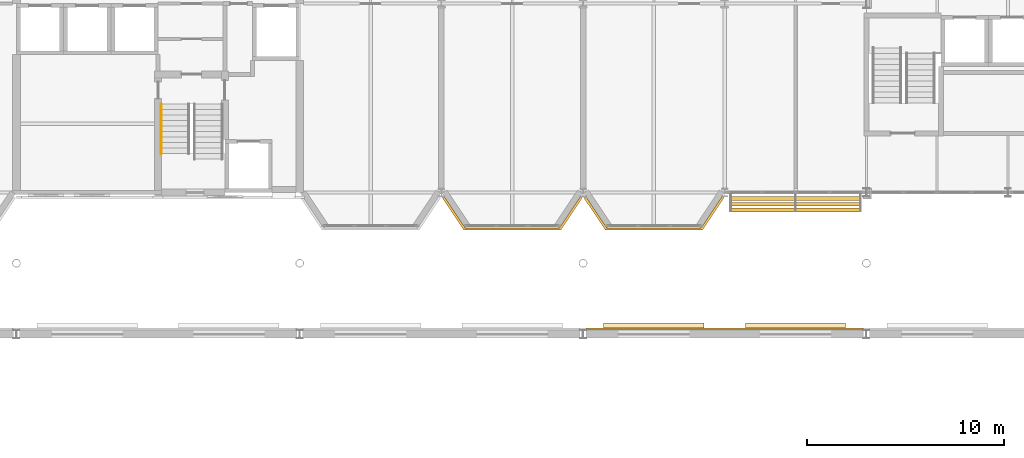
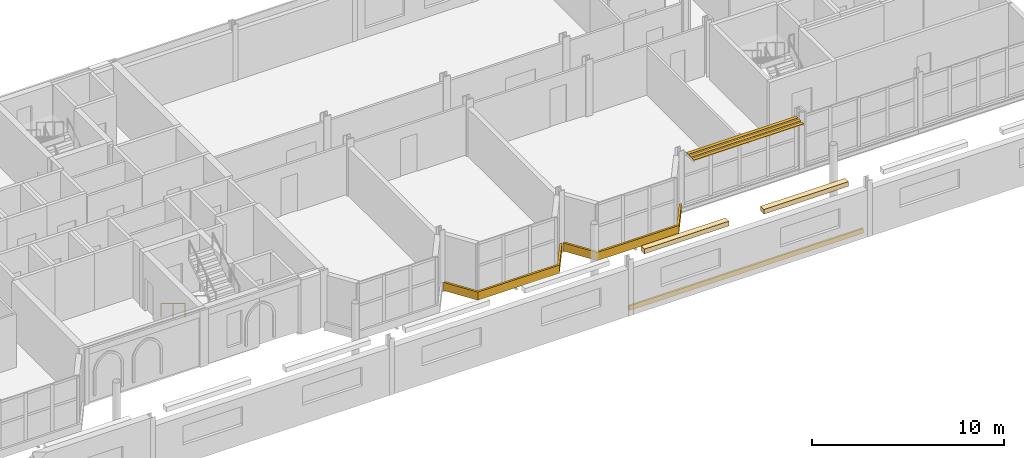
# One storey, part 109 of 124: 5 coverings, 3 shading devices, 1 railing.
"""IFC4 building model written with IfcOpenShell, lengths in metres."""

from ifc_helpers import new_model, si_unit, direction, frame, origin, origin_2d, place, context, subcontext, project, spatial, polyline, rectangle, circle, outline, extrude, material, layer, layer_set, type_object, element, save


model = new_model("IFC4")

# Units and contexts
model_context = context("Model", 3, precision=1e-05, world=origin(), true_north=direction((0.0, 1.0)))
body_context = subcontext(model_context, "Body", "Model", "MODEL_VIEW")
ifc_project = project(units=[si_unit("LENGTHUNIT", "METRE"), si_unit("AREAUNIT", "SQUARE_METRE"), si_unit("VOLUMEUNIT", "CUBIC_METRE"), si_unit("PLANEANGLEUNIT", "RADIAN"), si_unit("MASSUNIT", "GRAM", prefix="KILO")], contexts=[model_context])

# Site, building, storey
site_placement = place(None, origin())
site = spatial("IfcSite", under=ifc_project, at=site_placement, CompositionType="ELEMENT")
building_placement = place(site_placement, origin())
building = spatial("IfcBuilding", under=site, at=building_placement, Name="Kupolbacken Congress Centre", CompositionType="ELEMENT")
storey_placement = place(building_placement, frame((0.0, 0.0, 10.800048828125)))
storey = spatial("IfcBuildingStorey", under=building, at=storey_placement, Name="L03", CompositionType="ELEMENT", Elevation=10.800048828125)

# Coverings
ifc_material_1 = material(Name="Limestone cladding", Category="masonry")
ifc_layer_1 = layer(ifc_material_1, 0.1201171875)
ifc_layer_set_1 = layer_set([ifc_layer_1], Name="Limestone cladding")
covering_type_1 = type_object("IfcCoveringType", Name="CV1 limestone cladding band 120", PredefinedType="CLADDING", material=ifc_layer_set_1)
covering_1_placement = place(storey_placement, frame((0.0, 0.0, -0.239990234375)))
element("IfcCovering", 1, at=covering_1_placement, inside=storey, type_object=covering_type_1, Name="E/T/belt/L03/S/115.2", PredefinedType="CLADDING", context=body_context, shape_type="SweptSolid", body=[
    extrude(outline(polyline([(122.377685546875, 122.14990234375), (122.2333984375, 122.14990234375), (121.199951171875, 120.60009765625), (116.39990234375, 120.60009765625), (115.36669921875, 122.14990234375), (115.222412109375, 122.14990234375), (116.335693359375, 120.47998046875), (121.26416015625, 120.47998046875), (122.377685546875, 122.14990234375)])), origin(), (0.0, 0.0, 1.0), 0.52001953125),
])
covering_2_placement = place(storey_placement, frame((0.0, 0.0, -0.239990234375)))
element("IfcCovering", 2, at=covering_2_placement, inside=storey, type_object=covering_type_1, Name="E/T/belt/L03/S/122.4", PredefinedType="CLADDING", context=body_context, shape_type="SweptSolid", body=[
    extrude(outline(polyline([(129.57763671875, 122.14990234375), (129.433349609375, 122.14990234375), (128.39990234375, 120.60009765625), (123.60009765625, 120.60009765625), (122.566650390625, 122.14990234375), (122.42236328125, 122.14990234375), (123.535888671875, 120.47998046875), (128.464111328125, 120.47998046875), (129.57763671875, 122.14990234375)])), origin(), (0.0, 0.0, 1.0), 0.52001953125),
])
ifc_material_2 = material(Name="Brick cladding", Category="masonry")
ifc_layer_2 = layer(ifc_material_2, 0.10791015625)
ifc_layer_set_2 = layer_set([ifc_layer_2], Name="Brick cladding")
covering_type_2 = type_object("IfcCoveringType", Name="CV2 brick cladding band 108", PredefinedType="CLADDING", material=ifc_layer_set_2)
covering_3_placement = place(storey_placement, frame((129.60009765625, 115.464111328125, 0.0), z_axis=(0.0, 0.0, 1.0), x_axis=(-1.0, 0.0, 0.0)))
element("IfcCovering", 3, at=covering_3_placement, inside=storey, type_object=covering_type_2, Name="E/H/N/L03/358/band", PredefinedType="CLADDING", context=body_context, shape_type="SweptSolid", body=[
    extrude(rectangle(XDim=14.10009765625, YDim=0.10791015625, at=origin_2d()), origin(), (0.0, 0.0, 1.0), 0.300048828125),
])
ifc_material_3 = material(Name="Limestone cladding", Category="masonry")
ifc_layer_3 = layer(ifc_material_3, 0.35009765625)
ifc_layer_set_3 = layer_set([ifc_layer_3], Name="Limestone cladding")
covering_type_3 = type_object("IfcCoveringType", Name="CV3 limestone pilaster strip 350", PredefinedType="CLADDING", material=ifc_layer_set_3)
for number, where, z_axis, x_axis, name in (
    (4, (126.0, 115.5849609375, 3.2998046875), (0.0, 0.0, 1.0), (1.0, 0.0, 0.0), "F/HR/H/N/string/14.4/05/1"),
    (5, (133.199951171875, 115.5849609375, 3.2998046875), (0.0, 0.0, 1.0), (1.0, 0.0, 0.0), "F/HR/H/N/string/14.4/06/1"),
):
    element("IfcCovering", number, at=place(storey_placement, frame(where, z_axis=z_axis, x_axis=x_axis)), inside=storey, type_object=covering_type_3, Name=name, PredefinedType="CLADDING", context=body_context, shape_type="SweptSolid", body=[
        extrude(rectangle(XDim=5.10009765625, YDim=0.35009765625, at=origin_2d()), origin(), (0.0, 0.0, 1.0), 0.300048828125),
    ])

# Railing
ifc_material_4 = material(Name="Steel S235", Category="steel")
railing_type = type_object("IfcRailingType", Name="RL3 handrail wall-mounted 900", PredefinedType="HANDRAIL", material=ifc_material_4)
railing_placement = place(storey_placement, frame((100.949951171875, 126.89501953125, 0.17138671875)))
element("IfcRailing", 6, at=railing_placement, inside=storey, type_object=railing_type, Name="C/stair/TS1/L03/HR1R", PredefinedType="HANDRAIL", context=body_context, shape_type="SweptSolid", body=[
    extrude(circle(Radius=0.02392578125, at=origin_2d()), frame((0.0, 0.0, 0.8759765625), z_axis=(0.0, -0.852836285881, 0.522178388565), x_axis=(1.0, 0.0, 0.0)), (0.0, 0.0, 1.0), 2.954833984375),
    extrude(circle(Radius=0.02099609375, at=origin_2d()), origin(), (0.0, 0.0, 1.0), 0.851806640625),
    extrude(circle(Radius=0.02099609375, at=origin_2d()), frame((0.0, -1.260009765625, 0.771484375)), (0.0, 0.0, 1.0), 0.851806640625),
    extrude(circle(Radius=0.02099609375, at=origin_2d()), frame((0.0, -2.52001953125, 1.54296875)), (0.0, 0.0, 1.0), 0.851806640625),
])

# Shading devices
ifc_material_5 = material(Name="Aluminium alloy louvre", Category="aluminium")
ifc_layer_4 = layer(ifc_material_5, 0.030029296875)
ifc_layer_set_4 = layer_set([ifc_layer_4], Name="Aluminium alloy louvre")
shading_device_type = type_object("IfcShadingDeviceType", Name="SC1 louvre blade 30 x 200", PredefinedType="JALOUSIE", material=ifc_layer_set_4)
for number, where, z_axis, x_axis, name in (
    (7, (133.20166015625, 122.10009765625, 3.35986328125), (0.0, 0.0, 1.0), (1.0, 0.0, 0.0), "Brise-soleil blade"),
    (8, (133.20166015625, 121.800048828125, 3.35986328125), (0.0, 0.0, 1.0), (1.0, 0.0, 0.0), "Brise-soleil blade"),
    (9, (133.20166015625, 121.5, 3.35986328125), (0.0, 0.0, 1.0), (1.0, 0.0, 0.0), "Brise-soleil blade"),
):
    element("IfcShadingDevice", number, at=place(storey_placement, frame(where, z_axis=z_axis, x_axis=x_axis)), inside=storey, type_object=shading_device_type, Name=name, PredefinedType="JALOUSIE", context=body_context, shape_type="SweptSolid", body=[
        extrude(rectangle(XDim=6.636474609375, YDim=0.199951171875, at=origin_2d()), origin(), (0.0, 0.0, 1.0), 0.030029296875),
    ])

save(model, "model.ifc")
